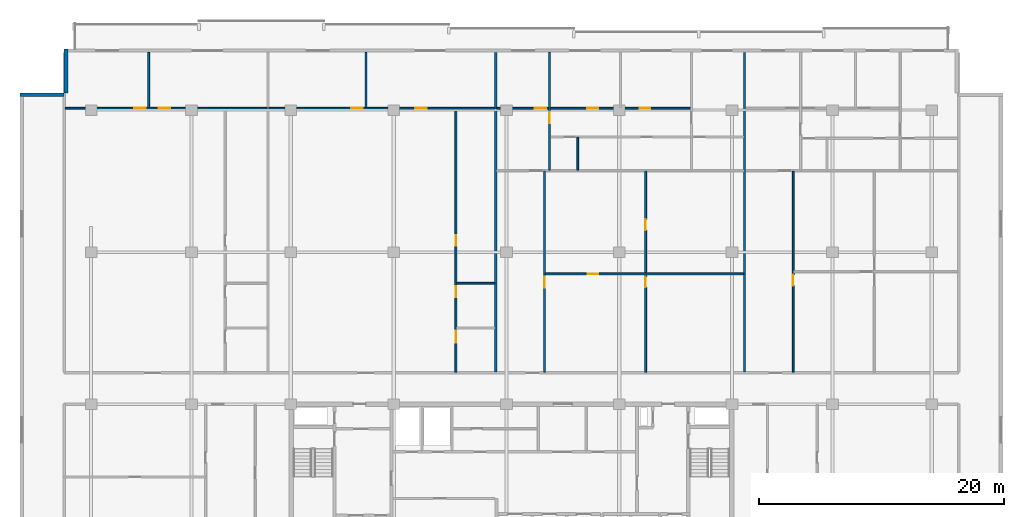
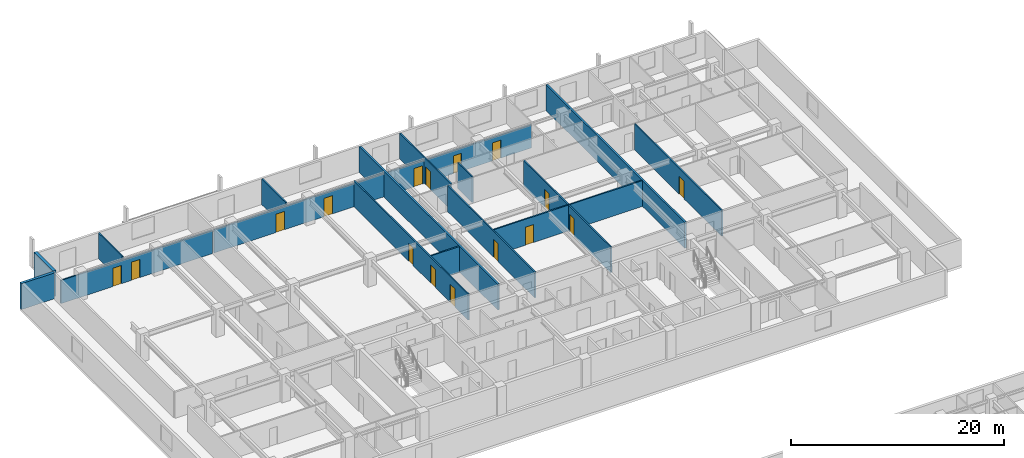
# One storey, part 14 of 22: 17 walls, 16 doors, 16 openings.
"""IFC4 building model written with IfcOpenShell, lengths in metres."""

from ifc_helpers import new_model, si_unit, direction, frame, frame_2d, origin, place, context, subcontext, project, spatial, rectangle, extrude, material, layer, layer_set, type_object, element, fill, save


model = new_model("IFC4")

# Units and contexts
model_context = context("Model", 3, precision=1e-05, world=origin(), true_north=direction((0.0, 1.0)))
body_context = subcontext(model_context, "Body", "Model", "MODEL_VIEW")
ifc_project = project(units=[si_unit("LENGTHUNIT", "METRE"), si_unit("AREAUNIT", "SQUARE_METRE"), si_unit("VOLUMEUNIT", "CUBIC_METRE"), si_unit("PLANEANGLEUNIT", "RADIAN"), si_unit("MASSUNIT", "GRAM", prefix="KILO")], contexts=[model_context])

# Site, building, storey
site_placement = place(None, origin())
site = spatial("IfcSite", under=ifc_project, at=site_placement, CompositionType="ELEMENT")
building_placement = place(site_placement, origin())
building = spatial("IfcBuilding", under=site, at=building_placement, Name="Korimba Cascade Residences", CompositionType="ELEMENT")
storey_placement = place(building_placement, frame((0.0, 0.0, 132.800048828125)))
storey = spatial("IfcBuildingStorey", under=building, at=storey_placement, Name="L38", CompositionType="ELEMENT", Elevation=132.800048828125)

# Walls
ifc_material_1 = material(Name="Precast concrete C40/50", Category="concrete")
ifc_layer_1 = layer(ifc_material_1, 0.300048828125)
ifc_layer_set_1 = layer_set([ifc_layer_1], Name="Precast concrete C40/50")
wall_type_1 = type_object("IfcWallType", Name="EW-STONE-300", PredefinedType="STANDARD", material=ifc_layer_set_1)
wall_1_placement = place(storey_placement, frame((57.75, 96.199951171875, 0.0), z_axis=(0.0, 0.0, 1.0), x_axis=(0.0, -1.0, 0.0)))
element("IfcWall", 1, at=wall_1_placement, inside=storey, type_object=wall_type_1, Name="L38 T1 Perimeter Stone Wall E07", PredefinedType="STANDARD", context=body_context, shape_type="SweptSolid", body=[
    extrude(rectangle(XDim=3.599853515625, YDim=0.300048828125, at=frame_2d((1.7998046875, 0.0))), origin(), (0.0, 0.0, 1.0), 2.969970703125),
])
wall_2_placement = place(storey_placement, frame((57.60009765625, 92.449951171875, 0.0), z_axis=(0.0, 0.0, 1.0), x_axis=(-1.0, 0.0, 0.0)))
element("IfcWall", 2, at=wall_2_placement, inside=storey, type_object=wall_type_1, Name="L38 T1 Perimeter Stone Wall E08", PredefinedType="STANDARD", context=body_context, shape_type="SweptSolid", body=[
    extrude(rectangle(XDim=3.60009765625, YDim=0.300048828125, at=frame_2d((1.800048828125, 0.0))), origin(), (0.0, 0.0, 1.0), 2.969970703125),
])
ifc_layer_2 = layer(ifc_material_1, 0.199951171875)
ifc_layer_set_2 = layer_set([ifc_layer_2], Name="Precast concrete C40/50")
wall_type_2 = type_object("IfcWallType", Name="WAL-IT-200", PredefinedType="PARTITIONING", material=ifc_layer_set_2)
for number, where, z_axis, x_axis, name in (
    (3, (92.83740234375, 69.830078125, 0.0), (0.0, 0.0, 1.0), (0.0, 1.0, 0.0), "L38 Partition Wall WAL-L38-T1-DEM-2"),
    (4, (113.125, 69.830078125, 0.0), (0.0, 0.0, 1.0), (0.0, 1.0, 0.0), "L38 Partition Wall WAL-L38-T1-DEM-3"),
):
    element("IfcWall", number, at=place(storey_placement, frame(where, z_axis=z_axis, x_axis=x_axis)), inside=storey, type_object=wall_type_2, Name=name, PredefinedType="PARTITIONING", context=body_context, shape_type="SweptSolid", body=[
        extrude(rectangle(XDim=26.06982421875, YDim=0.199951171875, at=frame_2d((13.034912109375, 0.0))), origin(), (0.0, 0.0, 1.0), 2.969970703125),
    ])
ifc_material_2 = material(Name="Insulated Acoustic Stud Partition", Category="gypsum")
ifc_layer_3 = layer(ifc_material_2, 0.14990234375)
ifc_layer_set_3 = layer_set([ifc_layer_3], Name="Insulated Acoustic Stud Partition")
wall_type_3 = type_object("IfcWallType", Name="WAL-PART-150", PredefinedType="PARTITIONING", material=ifc_layer_set_3)
wall_3_placement = place(storey_placement, frame((64.498779296875, 91.429931640625, 0.0), z_axis=(0.0, 0.0, 1.0), x_axis=(0.0, 1.0, 0.0)))
element("IfcWall", 5, at=wall_3_placement, inside=storey, type_object=wall_type_3, Name="L38 Partition Wall WAL-L38-T1-U01-OUTV", PredefinedType="PARTITIONING", context=body_context, shape_type="SweptSolid", body=[
    extrude(rectangle(XDim=4.469970703125, YDim=0.14990234375, at=frame_2d((2.23486328125, 0.0))), origin(), (0.0, 0.0, 1.0), 2.969970703125),
])

# Wall, openings, doors
wall_4_placement = place(storey_placement, frame((57.679931640625, 91.35009765625, 0.0), z_axis=(0.0, 0.0, 1.0), x_axis=(1.0, 0.0, 0.0)))
wall_4 = element("IfcWall", 6, at=wall_4_placement, inside=storey, type_object=wall_type_3, Name="L38 Partition Wall WAL-L38-T1-U01-HZ", PredefinedType="PARTITIONING", context=body_context, shape_type="SweptSolid", body=[
    extrude(rectangle(XDim=16.4775390625, YDim=0.14990234375, at=frame_2d((8.23876953125, 0.0))), origin(), (0.0, 0.0, 1.0), 2.663330078125),
])
opening_1_placement = place(wall_4_placement, frame((5.628662109375, 0.0, 0.0)))
opening_1 = element("IfcOpeningElement", 7, at=opening_1_placement, cuts=wall_4, Name="Opening D-IN0", PredefinedType="OPENING", context=body_context, shape_type="SweptSolid", body=[
    extrude(rectangle(XDim=0.93994140625, YDim=2.10009765625, at=frame_2d((0.469970703125, 1.050048828125))), frame((0.0, 0.0849609375, 0.0), z_axis=(0.0, -1.0, 0.0), x_axis=(1.0, 0.0, 0.0)), (0.0, 0.0, 1.0), 0.169921875),
])
opening_2_placement = place(wall_4_placement, frame((7.64453125, 0.0, 0.0)))
opening_2 = element("IfcOpeningElement", 8, at=opening_2_placement, cuts=wall_4, Name="Opening D-IN0", PredefinedType="OPENING", context=body_context, shape_type="SweptSolid", body=[
    extrude(rectangle(XDim=0.93994140625, YDim=2.10009765625, at=frame_2d((0.469970703125, 1.050048828125))), frame((0.0, 0.0849609375, 0.0), z_axis=(0.0, -1.0, 0.0), x_axis=(1.0, 0.0, 0.0)), (0.0, 0.0, 1.0), 0.169921875),
])
ifc_material_3 = material(Name="Acoustic Timber Living Archway Door", Category="wood")
door_type_1 = type_object("IfcDoorType", Name="DR-INT-950", OperationType="NOTDEFINED", PredefinedType="DOOR", material=ifc_material_3)
door_1_placement = place(opening_1_placement, origin())
door_1 = element("IfcDoor", 9, at=door_1_placement, inside=storey, type_object=door_type_1, Name="L38-T1-U01 Executive Co-Working Office Door", OperationType="SINGLE_SWING_LEFT", OverallHeight=2.10009765625, OverallWidth=0.93994140625, PredefinedType="DOOR", context=body_context, shape_type="SweptSolid", body=[
    extrude(rectangle(XDim=0.93994140625, YDim=2.10009765625, at=frame_2d((0.469970703125, 1.050048828125))), frame((0.0, 0.02490234375, 0.0), z_axis=(0.0, -1.0, 0.0), x_axis=(1.0, 0.0, 0.0)), (0.0, 0.0, 1.0), 0.050048828125),
])
fill(opening_1, door_1)
door_2_placement = place(opening_2_placement, origin())
door_2 = element("IfcDoor", 10, at=door_2_placement, inside=storey, type_object=door_type_1, Name="L38-T1-U01 Focus Workstation Office Door", OperationType="SINGLE_SWING_RIGHT", OverallHeight=2.10009765625, OverallWidth=0.93994140625, PredefinedType="DOOR", context=body_context, shape_type="SweptSolid", body=[
    extrude(rectangle(XDim=0.93994140625, YDim=2.10009765625, at=frame_2d((0.469970703125, 1.050048828125))), frame((0.0, 0.02490234375, 0.0), z_axis=(0.0, -1.0, 0.0), x_axis=(1.0, 0.0, 0.0)), (0.0, 0.0, 1.0), 0.050048828125),
])
fill(opening_2, door_2)

# Wall
wall_5_placement = place(storey_placement, frame((89.62744140625, 77.070068359375, 0.0), z_axis=(0.0, 0.0, 1.0), x_axis=(1.0, 0.0, 0.0)))
element("IfcWall", 11, at=wall_5_placement, inside=storey, type_object=wall_type_3, Name="L38 Partition Wall WAL-L38-T1-U02-WCH2", PredefinedType="PARTITIONING", context=body_context, shape_type="SweptSolid", body=[
    extrude(rectangle(XDim=3.130126953125, YDim=0.14990234375, at=frame_2d((1.56494140625, 0.0))), origin(), (0.0, 0.0, 1.0), 2.969970703125),
])

# Wall, openings, doors
wall_6_placement = place(storey_placement, frame((89.5673828125, 69.81005859375, 0.0), z_axis=(0.0, 0.0, 1.0), x_axis=(0.0, 1.0, 0.0)))
wall_6 = element("IfcWall", 12, at=wall_6_placement, inside=storey, type_object=wall_type_3, Name="L38 Partition Wall WAL-L38-T1-U02-WCV", PredefinedType="PARTITIONING", context=body_context, shape_type="SweptSolid", body=[
    extrude(rectangle(XDim=21.47998046875, YDim=0.14990234375, at=frame_2d((10.739990234375, 0.0))), origin(), (0.0, 0.0, 1.0), 2.969970703125),
])
opening_3_placement = place(wall_6_placement, frame((2.406005859375, 0.0, 0.0)))
opening_3 = element("IfcOpeningElement", 13, at=opening_3_placement, cuts=wall_6, Name="Opening D-AC1", PredefinedType="OPENING", context=body_context, shape_type="SweptSolid", body=[
    extrude(rectangle(XDim=0.9599609375, YDim=2.10009765625, at=frame_2d((0.47998046875, 1.050048828125))), frame((0.0, 0.0849609375, 0.0), z_axis=(0.0, -1.0, 0.0), x_axis=(1.0, 0.0, 0.0)), (0.0, 0.0, 1.0), 0.169921875),
])
opening_4_placement = place(wall_6_placement, frame((6.132568359375, 0.0, 0.0)))
opening_4 = element("IfcOpeningElement", 14, at=opening_4_placement, cuts=wall_6, Name="Opening D-IN2", PredefinedType="OPENING", context=body_context, shape_type="SweptSolid", body=[
    extrude(rectangle(XDim=0.8798828125, YDim=2.06005859375, at=frame_2d((0.43994140625, 1.030029296875))), frame((0.0, 0.0849609375, 0.0), z_axis=(0.0, -1.0, 0.0), x_axis=(1.0, 0.0, 0.0)), (0.0, 0.0, 1.0), 0.169921875),
])
opening_5_placement = place(wall_6_placement, frame((10.320068359375, 0.0, 0.0)))
opening_5 = element("IfcOpeningElement", 15, at=opening_5_placement, cuts=wall_6, Name="Opening D-BT1", PredefinedType="OPENING", context=body_context, shape_type="SweptSolid", body=[
    extrude(rectangle(XDim=0.840087890625, YDim=2.0400390625, at=frame_2d((0.419921875, 1.02001953125))), frame((0.0, 0.0849609375, 0.0), z_axis=(0.0, -1.0, 0.0), x_axis=(1.0, 0.0, 0.0)), (0.0, 0.0, 1.0), 0.169921875),
])
ifc_material_4 = material(Name="Accessible Acoustic Timber WC Door", Category="wood")
door_type_2 = type_object("IfcDoorType", Name="DR-ACC-950", OperationType="NOTDEFINED", PredefinedType="DOOR", material=ifc_material_4)
door_3_placement = place(opening_3_placement, origin())
door_3 = element("IfcDoor", 16, at=door_3_placement, inside=storey, type_object=door_type_2, Name="L38-T1-U02 Accessible WC Door", OperationType="SINGLE_SWING_LEFT", OverallHeight=2.10009765625, OverallWidth=0.9599609375, PredefinedType="DOOR", context=body_context, shape_type="SweptSolid", body=[
    extrude(rectangle(XDim=0.9599609375, YDim=2.10009765625, at=frame_2d((0.47998046875, 1.050048828125))), frame((0.0, 0.02490234375, 0.0), z_axis=(0.0, -1.0, 0.0), x_axis=(1.0, 0.0, 0.0)), (0.0, 0.0, 1.0), 0.050048828125),
])
fill(opening_3, door_3)
ifc_material_5 = material(Name="Moisture-Resistant Bathroom Timber Door", Category="wood")
door_type_3 = type_object("IfcDoorType", Name="DR-INT-850", OperationType="NOTDEFINED", PredefinedType="DOOR", material=ifc_material_5)
door_4_placement = place(opening_5_placement, origin())
door_4 = element("IfcDoor", 17, at=door_4_placement, inside=storey, type_object=door_type_3, Name="L38-T1-U02 Suite Store Door", OperationType="SINGLE_SWING_LEFT", OverallHeight=2.0400390625, OverallWidth=0.840087890625, PredefinedType="DOOR", context=body_context, shape_type="SweptSolid", body=[
    extrude(rectangle(XDim=0.840087890625, YDim=2.0400390625, at=frame_2d((0.419921875, 1.02001953125))), frame((0.0, 0.02490234375, 0.0), z_axis=(0.0, -1.0, 0.0), x_axis=(1.0, 0.0, 0.0)), (0.0, 0.0, 1.0), 0.050048828125),
])
fill(opening_5, door_4)
ifc_material_6 = material(Name="Acoustic Timber Bedroom Door", Category="wood")
door_type_4 = type_object("IfcDoorType", Name="DR-INT-880", OperationType="NOTDEFINED", PredefinedType="DOOR", material=ifc_material_6)
door_5_placement = place(opening_4_placement, origin())
door_5 = element("IfcDoor", 18, at=door_5_placement, inside=storey, type_object=door_type_4, Name="L38-T1-U02 Restroom WC Door", OperationType="SINGLE_SWING_RIGHT", OverallHeight=2.06005859375, OverallWidth=0.8798828125, PredefinedType="DOOR", context=body_context, shape_type="SweptSolid", body=[
    extrude(rectangle(XDim=0.8798828125, YDim=2.06005859375, at=frame_2d((0.43994140625, 1.030029296875))), frame((0.0, 0.02490234375, 0.0), z_axis=(0.0, -1.0, 0.0), x_axis=(1.0, 0.0, 0.0)), (0.0, 0.0, 1.0), 0.050048828125),
])
fill(opening_4, door_5)

# Wall
wall_7_placement = place(storey_placement, frame((82.232421875, 91.429931640625, 0.0), z_axis=(0.0, 0.0, 1.0), x_axis=(0.0, 1.0, 0.0)))
element("IfcWall", 19, at=wall_7_placement, inside=storey, type_object=wall_type_3, Name="L38 Partition Wall WAL-L38-T1-U02-OUTV", PredefinedType="PARTITIONING", context=body_context, shape_type="SweptSolid", body=[
    extrude(rectangle(XDim=4.469970703125, YDim=0.14990234375, at=frame_2d((2.23486328125, 0.0))), origin(), (0.0, 0.0, 1.0), 2.969970703125),
])

# Wall, openings, doors
wall_8_placement = place(storey_placement, frame((74.3173828125, 91.35009765625, 0.0), z_axis=(0.0, 0.0, 1.0), x_axis=(1.0, 0.0, 0.0)))
wall_8 = element("IfcWall", 20, at=wall_8_placement, inside=storey, type_object=wall_type_3, Name="L38 Partition Wall WAL-L38-T1-U02-HZ", PredefinedType="PARTITIONING", context=body_context, shape_type="SweptSolid", body=[
    extrude(rectangle(XDim=18.440185546875, YDim=0.14990234375, at=frame_2d((9.22021484375, 0.0))), origin(), (0.0, 0.0, 1.0), 2.663330078125),
])
opening_6_placement = place(wall_8_placement, frame((6.72509765625, 0.0, 0.0)))
opening_6 = element("IfcOpeningElement", 21, at=opening_6_placement, cuts=wall_8, Name="Opening D-IN0", PredefinedType="OPENING", context=body_context, shape_type="SweptSolid", body=[
    extrude(rectangle(XDim=0.93994140625, YDim=2.10009765625, at=frame_2d((0.469970703125, 1.050048828125))), frame((0.0, 0.0849609375, 0.0), z_axis=(0.0, -1.0, 0.0), x_axis=(1.0, 0.0, 0.0)), (0.0, 0.0, 1.0), 0.169921875),
])
opening_7_placement = place(wall_8_placement, frame((11.937744140625, 0.0, 0.0)))
opening_7 = element("IfcOpeningElement", 22, at=opening_7_placement, cuts=wall_8, Name="Opening D-IN0", PredefinedType="OPENING", context=body_context, shape_type="SweptSolid", body=[
    extrude(rectangle(XDim=0.93994140625, YDim=2.10009765625, at=frame_2d((0.469970703125, 1.050048828125))), frame((0.0, 0.0849609375, 0.0), z_axis=(0.0, -1.0, 0.0), x_axis=(1.0, 0.0, 0.0)), (0.0, 0.0, 1.0), 0.169921875),
])
door_6_placement = place(opening_6_placement, origin())
door_6 = element("IfcDoor", 23, at=door_6_placement, inside=storey, type_object=door_type_1, Name="L38-T1-U02 Resident Boardroom Door", OperationType="SINGLE_SWING_RIGHT", OverallHeight=2.10009765625, OverallWidth=0.93994140625, PredefinedType="DOOR", context=body_context, shape_type="SweptSolid", body=[
    extrude(rectangle(XDim=0.93994140625, YDim=2.10009765625, at=frame_2d((0.469970703125, 1.050048828125))), frame((0.0, 0.02490234375, 0.0), z_axis=(0.0, -1.0, 0.0), x_axis=(1.0, 0.0, 0.0)), (0.0, 0.0, 1.0), 0.050048828125),
])
fill(opening_6, door_6)
door_7_placement = place(opening_7_placement, origin())
door_7 = element("IfcDoor", 24, at=door_7_placement, inside=storey, type_object=door_type_1, Name="L38-T1-U02 Executive Seminar Room Door", OperationType="SINGLE_SWING_LEFT", OverallHeight=2.10009765625, OverallWidth=0.93994140625, PredefinedType="DOOR", context=body_context, shape_type="SweptSolid", body=[
    extrude(rectangle(XDim=0.93994140625, YDim=2.10009765625, at=frame_2d((0.469970703125, 1.050048828125))), frame((0.0, 0.02490234375, 0.0), z_axis=(0.0, -1.0, 0.0), x_axis=(1.0, 0.0, 0.0)), (0.0, 0.0, 1.0), 0.050048828125),
])
fill(opening_7, door_7)

wall_9_placement = place(storey_placement, frame((105.05615234375, 69.81005859375, 0.0), z_axis=(0.0, 0.0, 1.0), x_axis=(0.0, 1.0, 0.0)))
wall_9 = element("IfcWall", 25, at=wall_9_placement, inside=storey, type_object=wall_type_3, Name="L38 Partition Wall WAL-L38-T1-U03-FMV", PredefinedType="PARTITIONING", context=body_context, shape_type="SweptSolid", body=[
    extrude(rectangle(XDim=16.39990234375, YDim=0.14990234375, at=frame_2d((8.199951171875, 0.0))), origin(), (0.0, 0.0, 1.0), 2.969970703125),
])
opening_8_placement = place(wall_9_placement, frame((6.929931640625, 0.0, 0.0)))
opening_8 = element("IfcOpeningElement", 26, at=opening_8_placement, cuts=wall_9, Name="Opening D-BT1", PredefinedType="OPENING", context=body_context, shape_type="SweptSolid", body=[
    extrude(rectangle(XDim=0.840087890625, YDim=2.0400390625, at=frame_2d((0.419921875, 1.02001953125))), frame((0.0, 0.0849609375, 0.0), z_axis=(0.0, -1.0, 0.0), x_axis=(1.0, 0.0, 0.0)), (0.0, 0.0, 1.0), 0.169921875),
])
opening_9_placement = place(wall_9_placement, frame((11.58203125, 0.0, 0.0)))
opening_9 = element("IfcOpeningElement", 27, at=opening_9_placement, cuts=wall_9, Name="Opening D-IN2", PredefinedType="OPENING", context=body_context, shape_type="SweptSolid", body=[
    extrude(rectangle(XDim=0.8798828125, YDim=2.06005859375, at=frame_2d((0.43994140625, 1.030029296875))), frame((0.0, 0.0849609375, 0.0), z_axis=(0.0, -1.0, 0.0), x_axis=(1.0, 0.0, 0.0)), (0.0, 0.0, 1.0), 0.169921875),
])
door_8_placement = place(opening_8_placement, origin())
door_8 = element("IfcDoor", 28, at=door_8_placement, inside=storey, type_object=door_type_3, Name="L38-T1-U03 Wardrobe Door", OperationType="SINGLE_SWING_RIGHT", OverallHeight=2.0400390625, OverallWidth=0.840087890625, PredefinedType="DOOR", context=body_context, shape_type="SweptSolid", body=[
    extrude(rectangle(XDim=0.840087890625, YDim=2.0400390625, at=frame_2d((0.419921875, 1.02001953125))), frame((0.0, 0.02490234375, 0.0), z_axis=(0.0, -1.0, 0.0), x_axis=(1.0, 0.0, 0.0)), (0.0, 0.0, 1.0), 0.050048828125),
])
fill(opening_8, door_8)
door_9_placement = place(opening_9_placement, origin())
door_9 = element("IfcDoor", 29, at=door_9_placement, inside=storey, type_object=door_type_4, Name="L38-T1-U03 Music Lounge Door", OperationType="SINGLE_SWING_LEFT", OverallHeight=2.06005859375, OverallWidth=0.8798828125, PredefinedType="DOOR", context=body_context, shape_type="SweptSolid", body=[
    extrude(rectangle(XDim=0.8798828125, YDim=2.06005859375, at=frame_2d((0.43994140625, 1.030029296875))), frame((0.0, 0.02490234375, 0.0), z_axis=(0.0, -1.0, 0.0), x_axis=(1.0, 0.0, 0.0)), (0.0, 0.0, 1.0), 0.050048828125),
])
fill(opening_9, door_9)

# Wall, opening, door
wall_10_placement = place(storey_placement, frame((96.867431640625, 77.830078125, 0.0), z_axis=(0.0, 0.0, 1.0), x_axis=(1.0, 0.0, 0.0)))
wall_10 = element("IfcWall", 30, at=wall_10_placement, inside=storey, type_object=wall_type_3, Name="L38 Partition Wall WAL-L38-T1-U03-FMH", PredefinedType="PARTITIONING", context=body_context, shape_type="SweptSolid", body=[
    extrude(rectangle(XDim=16.177490234375, YDim=0.14990234375, at=frame_2d((8.0888671875, 0.0))), origin(), (0.0, 0.0, 1.0), 2.969970703125),
])
opening_10_placement = place(wall_10_placement, frame((3.44970703125, 0.0, 0.0)))
opening_10 = element("IfcOpeningElement", 31, at=opening_10_placement, cuts=wall_10, Name="Opening D-IN2", PredefinedType="OPENING", context=body_context, shape_type="SweptSolid", body=[
    extrude(rectangle(XDim=0.8798828125, YDim=2.06005859375, at=frame_2d((0.43994140625, 1.030029296875))), frame((0.0, 0.0849609375, 0.0), z_axis=(0.0, -1.0, 0.0), x_axis=(1.0, 0.0, 0.0)), (0.0, 0.0, 1.0), 0.169921875),
])
door_10_placement = place(opening_10_placement, origin())
door_10 = element("IfcDoor", 32, at=door_10_placement, inside=storey, type_object=door_type_4, Name="L38-T1-U03 Library Salon Door", OperationType="SINGLE_SWING_RIGHT", OverallHeight=2.06005859375, OverallWidth=0.8798828125, PredefinedType="DOOR", context=body_context, shape_type="SweptSolid", body=[
    extrude(rectangle(XDim=0.8798828125, YDim=2.06005859375, at=frame_2d((0.43994140625, 1.030029296875))), frame((0.0, 0.02490234375, 0.0), z_axis=(0.0, -1.0, 0.0), x_axis=(1.0, 0.0, 0.0)), (0.0, 0.0, 1.0), 0.050048828125),
])
fill(opening_10, door_10)

wall_11_placement = place(storey_placement, frame((96.8076171875, 69.81005859375, 0.0), z_axis=(0.0, 0.0, 1.0), x_axis=(0.0, 1.0, 0.0)))
wall_11 = element("IfcWall", 33, at=wall_11_placement, inside=storey, type_object=wall_type_3, Name="L38 Partition Wall WAL-L38-T1-U03-FV", PredefinedType="PARTITIONING", context=body_context, shape_type="SweptSolid", body=[
    extrude(rectangle(XDim=16.39990234375, YDim=0.14990234375, at=frame_2d((8.199951171875, 0.0))), origin(), (0.0, 0.0, 1.0), 2.969970703125),
])
opening_11_placement = place(wall_11_placement, frame((6.889892578125, 0.0, 0.0)))
opening_11 = element("IfcOpeningElement", 34, at=opening_11_placement, cuts=wall_11, Name="Opening D-IN2", PredefinedType="OPENING", context=body_context, shape_type="SweptSolid", body=[
    extrude(rectangle(XDim=0.8798828125, YDim=2.06005859375, at=frame_2d((0.43994140625, 1.030029296875))), frame((0.0, 0.0849609375, 0.0), z_axis=(0.0, -1.0, 0.0), x_axis=(1.0, 0.0, 0.0)), (0.0, 0.0, 1.0), 0.169921875),
])
door_11_placement = place(opening_11_placement, origin())
door_11 = element("IfcDoor", 35, at=door_11_placement, inside=storey, type_object=door_type_4, Name="L38-T1-U03 Media Lounge Door", OperationType="SINGLE_SWING_LEFT", OverallHeight=2.06005859375, OverallWidth=0.8798828125, PredefinedType="DOOR", context=body_context, shape_type="SweptSolid", body=[
    extrude(rectangle(XDim=0.8798828125, YDim=2.06005859375, at=frame_2d((0.43994140625, 1.030029296875))), frame((0.0, 0.02490234375, 0.0), z_axis=(0.0, -1.0, 0.0), x_axis=(1.0, 0.0, 0.0)), (0.0, 0.0, 1.0), 0.050048828125),
])
fill(opening_11, door_11)

# Wall
wall_12_placement = place(storey_placement, frame((99.517578125, 86.2900390625, 0.0), z_axis=(0.0, 0.0, 1.0), x_axis=(0.0, 1.0, 0.0)))
element("IfcWall", 36, at=wall_12_placement, inside=storey, type_object=wall_type_3, Name="L38 Partition Wall WAL-L38-T1-U03-VDRS", PredefinedType="PARTITIONING", context=body_context, shape_type="SweptSolid", body=[
    extrude(rectangle(XDim=2.68994140625, YDim=0.14990234375, at=frame_2d((1.344970703125, 0.0))), origin(), (0.0, 0.0, 1.0), 2.969970703125),
])

# Wall, opening, door
wall_13_placement = place(storey_placement, frame((97.20751953125, 86.2900390625, 0.0), z_axis=(0.0, 0.0, 1.0), x_axis=(0.0, 1.0, 0.0)))
wall_13 = element("IfcWall", 37, at=wall_13_placement, inside=storey, type_object=wall_type_3, Name="L38 Partition Wall WAL-L38-T1-U03-V1", PredefinedType="PARTITIONING", context=body_context, shape_type="SweptSolid", body=[
    extrude(rectangle(XDim=9.60986328125, YDim=0.14990234375, at=frame_2d((4.804931640625, 0.0))), origin(), (0.0, 0.0, 1.0), 2.969970703125),
])
opening_12_placement = place(wall_13_placement, frame((3.820068359375, 0.0, 0.0)))
opening_12 = element("IfcOpeningElement", 38, at=opening_12_placement, cuts=wall_13, Name="Opening D-IN1", PredefinedType="OPENING", context=body_context, shape_type="SweptSolid", body=[
    extrude(rectangle(XDim=0.919921875, YDim=2.080078125, at=frame_2d((0.4599609375, 1.0400390625))), frame((0.0, 0.0849609375, 0.0), z_axis=(0.0, -1.0, 0.0), x_axis=(1.0, 0.0, 0.0)), (0.0, 0.0, 1.0), 0.169921875),
])
ifc_material_7 = material(Name="Acoustic Timber Living Door", Category="wood")
door_type_5 = type_object("IfcDoorType", Name="DR-INT-920", OperationType="NOTDEFINED", PredefinedType="DOOR", material=ifc_material_7)
door_12_placement = place(opening_12_placement, origin())
door_12 = element("IfcDoor", 39, at=door_12_placement, inside=storey, type_object=door_type_5, Name="L38-T1-U03 Hallway Door", OperationType="SINGLE_SWING_RIGHT", OverallHeight=2.080078125, OverallWidth=0.919921875, PredefinedType="DOOR", context=body_context, shape_type="SweptSolid", body=[
    extrude(rectangle(XDim=0.919921875, YDim=2.080078125, at=frame_2d((0.4599609375, 1.0400390625))), frame((0.0, 0.02490234375, 0.0), z_axis=(0.0, -1.0, 0.0), x_axis=(1.0, 0.0, 0.0)), (0.0, 0.0, 1.0), 0.050048828125),
])
fill(opening_12, door_12)

# Wall, openings, doors
wall_14_placement = place(storey_placement, frame((92.91748046875, 91.35009765625, 0.0), z_axis=(0.0, 0.0, 1.0), x_axis=(1.0, 0.0, 0.0)))
wall_14 = element("IfcWall", 40, at=wall_14_placement, inside=storey, type_object=wall_type_3, Name="L38 Partition Wall WAL-L38-T1-U03-HZ", PredefinedType="PARTITIONING", context=body_context, shape_type="SweptSolid", body=[
    extrude(rectangle(XDim=15.87744140625, YDim=0.14990234375, at=frame_2d((7.938720703125, 0.0))), origin(), (0.0, 0.0, 1.0), 2.663330078125),
])
opening_13_placement = place(wall_14_placement, frame((3.10009765625, 0.0, 0.0)))
opening_13 = element("IfcOpeningElement", 41, at=opening_13_placement, cuts=wall_14, Name="Opening D-IN0", PredefinedType="OPENING", context=body_context, shape_type="SweptSolid", body=[
    extrude(rectangle(XDim=0.93994140625, YDim=2.10009765625, at=frame_2d((0.469970703125, 1.050048828125))), frame((0.0, 0.0849609375, 0.0), z_axis=(0.0, -1.0, 0.0), x_axis=(1.0, 0.0, 0.0)), (0.0, 0.0, 1.0), 0.169921875),
])
opening_14_placement = place(wall_14_placement, frame((7.373291015625, 0.0, 0.0)))
opening_14 = element("IfcOpeningElement", 42, at=opening_14_placement, cuts=wall_14, Name="Opening D-IN2", PredefinedType="OPENING", context=body_context, shape_type="SweptSolid", body=[
    extrude(rectangle(XDim=0.8798828125, YDim=2.06005859375, at=frame_2d((0.43994140625, 1.030029296875))), frame((0.0, 0.0849609375, 0.0), z_axis=(0.0, -1.0, 0.0), x_axis=(1.0, 0.0, 0.0)), (0.0, 0.0, 1.0), 0.169921875),
])
opening_15_placement = place(wall_14_placement, frame((11.645751953125, 0.0, 0.0)))
opening_15 = element("IfcOpeningElement", 43, at=opening_15_placement, cuts=wall_14, Name="Opening D-IN2", PredefinedType="OPENING", context=body_context, shape_type="SweptSolid", body=[
    extrude(rectangle(XDim=0.8798828125, YDim=2.06005859375, at=frame_2d((0.43994140625, 1.030029296875))), frame((0.0, 0.0849609375, 0.0), z_axis=(0.0, -1.0, 0.0), x_axis=(1.0, 0.0, 0.0)), (0.0, 0.0, 1.0), 0.169921875),
])
door_13_placement = place(opening_14_placement, origin())
door_13 = element("IfcDoor", 44, at=door_13_placement, inside=storey, type_object=door_type_4, Name="L38-T1-U03 Bedroom 2 Door", OperationType="SINGLE_SWING_LEFT", OverallHeight=2.06005859375, OverallWidth=0.8798828125, PredefinedType="DOOR", context=body_context, shape_type="SweptSolid", body=[
    extrude(rectangle(XDim=0.8798828125, YDim=2.06005859375, at=frame_2d((0.43994140625, 1.030029296875))), frame((0.0, 0.02490234375, 0.0), z_axis=(0.0, -1.0, 0.0), x_axis=(1.0, 0.0, 0.0)), (0.0, 0.0, 1.0), 0.050048828125),
])
fill(opening_14, door_13)
door_14_placement = place(opening_15_placement, origin())
door_14 = element("IfcDoor", 45, at=door_14_placement, inside=storey, type_object=door_type_4, Name="L38-T1-U03 Bedroom 3 Door", OperationType="SINGLE_SWING_RIGHT", OverallHeight=2.06005859375, OverallWidth=0.8798828125, PredefinedType="DOOR", context=body_context, shape_type="SweptSolid", body=[
    extrude(rectangle(XDim=0.8798828125, YDim=2.06005859375, at=frame_2d((0.43994140625, 1.030029296875))), frame((0.0, 0.02490234375, 0.0), z_axis=(0.0, -1.0, 0.0), x_axis=(1.0, 0.0, 0.0)), (0.0, 0.0, 1.0), 0.050048828125),
])
fill(opening_15, door_14)
door_15_placement = place(opening_13_placement, origin())
door_15 = element("IfcDoor", 46, at=door_15_placement, inside=storey, type_object=door_type_1, Name="L38-T1-U03 Living Room Door", OperationType="SINGLE_SWING_RIGHT", OverallHeight=2.10009765625, OverallWidth=0.93994140625, PredefinedType="DOOR", context=body_context, shape_type="SweptSolid", body=[
    extrude(rectangle(XDim=0.93994140625, YDim=2.10009765625, at=frame_2d((0.469970703125, 1.050048828125))), frame((0.0, 0.02490234375, 0.0), z_axis=(0.0, -1.0, 0.0), x_axis=(1.0, 0.0, 0.0)), (0.0, 0.0, 1.0), 0.050048828125),
])
fill(opening_13, door_15)

# Wall, opening, door
wall_15_placement = place(storey_placement, frame((117.094970703125, 69.81005859375, 0.0), z_axis=(0.0, 0.0, 1.0), x_axis=(0.0, 1.0, 0.0)))
wall_15 = element("IfcWall", 47, at=wall_15_placement, inside=storey, type_object=wall_type_3, Name="L38 Partition Wall WAL-L38-T1-U04-FV", PredefinedType="PARTITIONING", context=body_context, shape_type="SweptSolid", body=[
    extrude(rectangle(XDim=16.39990234375, YDim=0.14990234375, at=frame_2d((8.199951171875, 0.0))), origin(), (0.0, 0.0, 1.0), 2.969970703125),
])
opening_16_placement = place(wall_15_placement, frame((7.070068359375, 0.0, 0.0)))
opening_16 = element("IfcOpeningElement", 48, at=opening_16_placement, cuts=wall_15, Name="Opening D-IN2", PredefinedType="OPENING", context=body_context, shape_type="SweptSolid", body=[
    extrude(rectangle(XDim=0.8798828125, YDim=2.06005859375, at=frame_2d((0.43994140625, 1.030029296875))), frame((0.0, 0.0849609375, 0.0), z_axis=(0.0, -1.0, 0.0), x_axis=(1.0, 0.0, 0.0)), (0.0, 0.0, 1.0), 0.169921875),
])
door_16_placement = place(opening_16_placement, origin())
door_16 = element("IfcDoor", 49, at=door_16_placement, inside=storey, type_object=door_type_4, Name="L38-T1-U04 Media Lounge Door", OperationType="SINGLE_SWING_RIGHT", OverallHeight=2.06005859375, OverallWidth=0.8798828125, PredefinedType="DOOR", context=body_context, shape_type="SweptSolid", body=[
    extrude(rectangle(XDim=0.8798828125, YDim=2.06005859375, at=frame_2d((0.43994140625, 1.030029296875))), frame((0.0, 0.02490234375, 0.0), z_axis=(0.0, -1.0, 0.0), x_axis=(1.0, 0.0, 0.0)), (0.0, 0.0, 1.0), 0.050048828125),
])
fill(opening_16, door_16)

save(model, "model.ifc")
